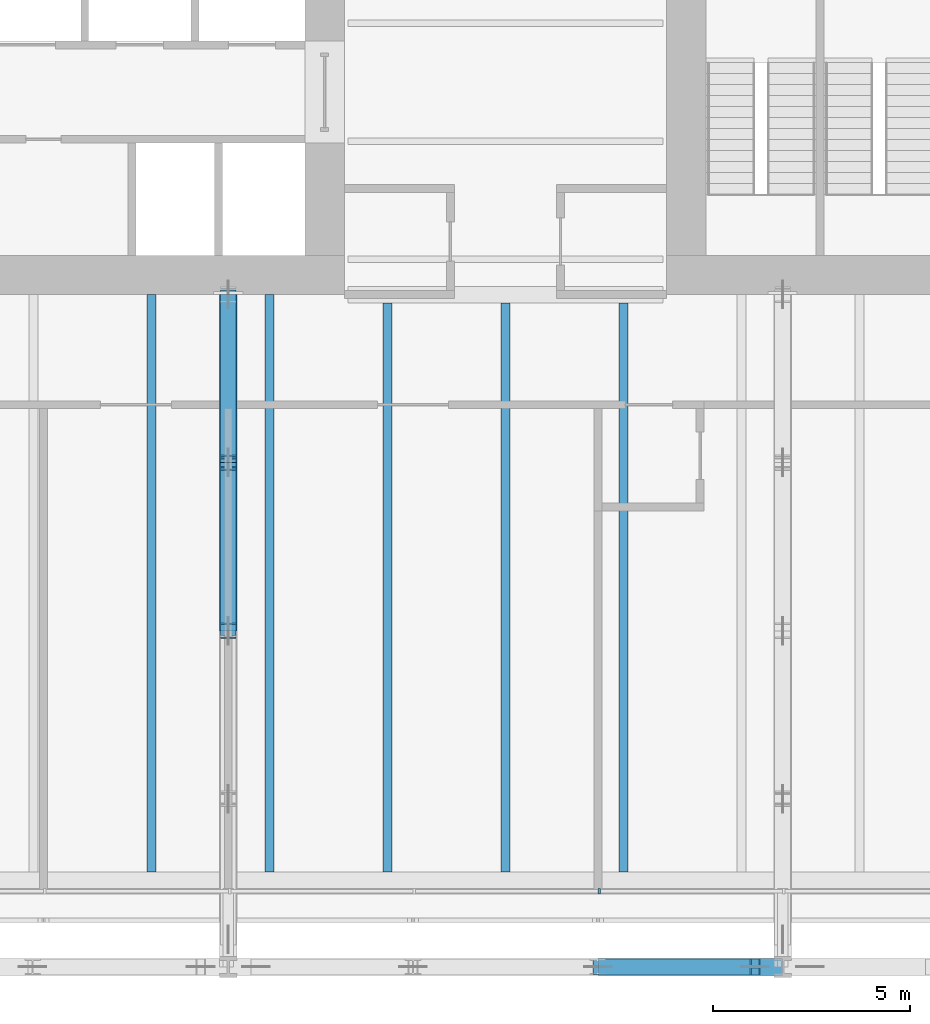
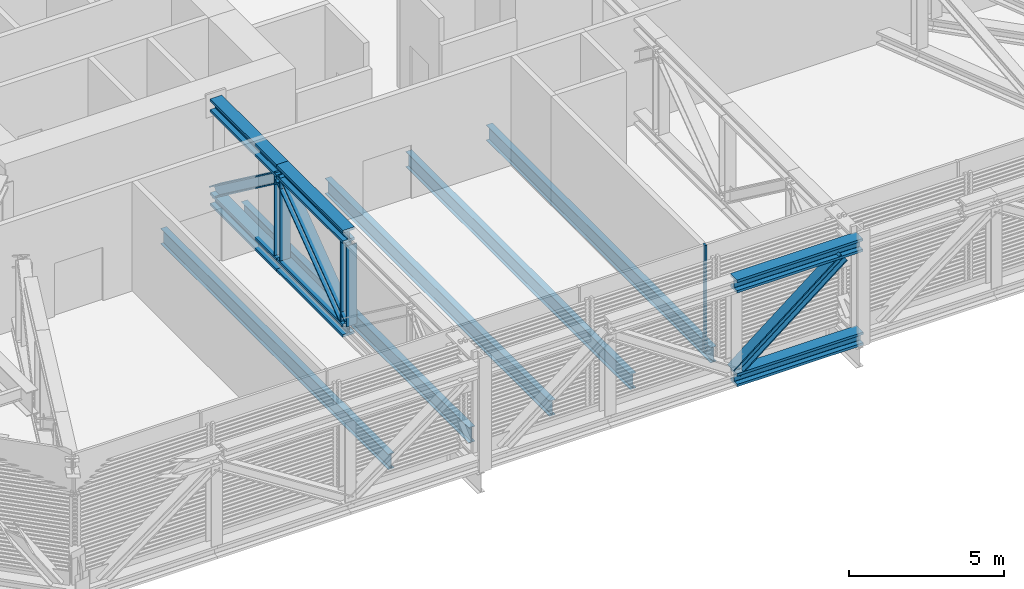
# One storey, part 5 of 33: 11 beams, 6 members, 1 element without a shape of its own.
"""IFC4 building model written with IfcOpenShell, lengths in metres."""

from ifc_helpers import new_model, si_unit, direction, frame, origin, origin_2d, place, context, subcontext, project, spatial, rectangle, i_section, extrude, material, layer, layer_set, material_profile, profile_set, type_object, element, aggregate, save


model = new_model("IFC4")

# Units and contexts
model_context = context("Model", 3, precision=1e-05, world=origin(), true_north=direction((0.0, 1.0)))
body_context = subcontext(model_context, "Body", "Model", "MODEL_VIEW")
ifc_project = project(units=[si_unit("LENGTHUNIT", "METRE"), si_unit("AREAUNIT", "SQUARE_METRE"), si_unit("VOLUMEUNIT", "CUBIC_METRE"), si_unit("PLANEANGLEUNIT", "RADIAN"), si_unit("MASSUNIT", "GRAM", prefix="KILO")], contexts=[model_context])

# Site, building, storey
site_placement = place(None, origin())
site = spatial("IfcSite", under=ifc_project, at=site_placement, CompositionType="ELEMENT")
building_placement = place(site_placement, origin())
building = spatial("IfcBuilding", under=site, at=building_placement, Name="Millrace Tower", CompositionType="ELEMENT")
storey_placement = place(building_placement, frame((0.0, 0.0, 64.10009765625)))
storey = spatial("IfcBuildingStorey", under=building, at=storey_placement, Name="L14", CompositionType="ELEMENT", Elevation=64.10009765625)

# Beams
ifc_material_1 = material(Name="Steel ASTM A992 Grade 50", Category="steel")
ifc_material_profile_1 = material_profile(ifc_material_1, i_section(OverallWidth=0.436767578125, OverallDepth=0.51318359375, WebThickness=0.060546875, FlangeThickness=0.096923828125, FilletRadius=0.01513671875, at=origin_2d()))
ifc_profile_set_1 = profile_set([ifc_material_profile_1], Name="Steel ASTM A992 Grade 50")
beam_type_1 = type_object("IfcBeamType", Name="Belt truss chord W14x550", PredefinedType="BEAM", material=ifc_profile_set_1)
beam_1_placement = place(storey_placement, frame((2.35009765625, -27.0, 0.25634765625), z_axis=(1.0, 0.0, 0.0), x_axis=(0.0, 1.0, 0.0)))
element("IfcBeam", 1, at=beam_1_placement, inside=storey, type_object=beam_type_1, Name="BLT-L14-R03-B03", PredefinedType="BEAM", context=body_context, shape_type="SweptSolid", body=[
    extrude(i_section(OverallWidth=0.436767578125, OverallDepth=0.51318359375, WebThickness=0.060546875, FlangeThickness=0.096923828125, FilletRadius=0.01513671875, at=origin_2d()), origin(), (0.0, 0.0, 1.0), 4.699951171875),
])
beam_2_placement = place(storey_placement, frame((2.35009765625, -27.0, 3.943359375), z_axis=(1.0, 0.0, 0.0), x_axis=(0.0, 1.0, 0.0)))
element("IfcBeam", 2, at=beam_2_placement, inside=storey, type_object=beam_type_1, Name="BLT-L14-R03-T03", PredefinedType="BEAM", context=body_context, shape_type="SweptSolid", body=[
    extrude(i_section(OverallWidth=0.436767578125, OverallDepth=0.51318359375, WebThickness=0.060546875, FlangeThickness=0.096923828125, FilletRadius=0.01513671875, at=origin_2d()), origin(), (0.0, 0.0, 1.0), 4.6826171875),
])

# Member
ifc_material_2 = material(Name="Steel ASTM A992 Grade 50", Category="steel")
ifc_material_profile_2 = material_profile(ifc_material_2, i_section(OverallWidth=0.40380859375, OverallDepth=0.406494140625, WebThickness=0.027099609375, FlangeThickness=0.043701171875, FilletRadius=0.01513671875, at=origin_2d()))
ifc_profile_set_2 = profile_set([ifc_material_profile_2], Name="Steel ASTM A992 Grade 50")
member_type_1 = type_object("IfcMemberType", Name="Belt truss diagonal W14x233", PredefinedType="BRACE", material=ifc_profile_set_2)
member_1_placement = place(storey_placement, frame((2.35009765625, -27.0, 0.512939453125), z_axis=(0.783362807967, 0.0, 0.621564728001), x_axis=(0.0, 1.0, 0.0)))
element("IfcMember", 3, at=member_1_placement, inside=storey, type_object=member_type_1, Name="BLT-L14-R03-D03", PredefinedType="BRACE", context=body_context, shape_type="SweptSolid", body=[
    extrude(i_section(OverallWidth=0.40380859375, OverallDepth=0.406494140625, WebThickness=0.027099609375, FlangeThickness=0.043701171875, FilletRadius=0.01513671875, at=origin_2d()), origin(), (0.0, 0.0, 1.0), 5.106201171875),
])

# Curtain wall, member
ifc_material_3 = material(Name="Aluminium and glass", Category="aluminium")
ifc_layer = layer(ifc_material_3, 0.14990234375)
ifc_layer_set = layer_set([ifc_layer], Name="Aluminium and glass")
curtain_wall_type = type_object("IfcCurtainWallType", Name="CW-5 truss and plant storey louvred infill", PredefinedType="NOTDEFINED", material=ifc_layer_set)
curtain_wall_placement = place(storey_placement, origin())
curtain_wall = element("IfcCurtainWall", 4, at=curtain_wall_placement, inside=storey, type_object=curtain_wall_type, Name="Curtain wall A-F02 L14", PredefinedType="NOTDEFINED")
ifc_material_4 = material(Name="Aluminium", Category="aluminium")
ifc_material_profile_3 = material_profile(ifc_material_4, rectangle(XDim=0.06494140625, YDim=0.14990234375, at=origin_2d()))
ifc_profile_set_3 = profile_set([ifc_material_profile_3], Name="Aluminium")
member_type_2 = type_object("IfcMemberType", Name="CW-5 truss and plant storey louvred infill mullion", PredefinedType="MULLION", material=ifc_profile_set_3)
member_2_placement = place(storey_placement, frame((2.382568359375, -25.074951171875, 0.139892578125), z_axis=(0.0, 0.0, 1.0), x_axis=(1.0, 0.0, 0.0)))
member_2 = element("IfcMember", 5, at=member_2_placement, type_object=member_type_2, Name="CW5 mullion A-F02.6", PredefinedType="MULLION", context=body_context, shape_type="SweptSolid", body=[
    extrude(rectangle(XDim=0.06494140625, YDim=0.14990234375, at=origin_2d()), origin(), (0.0, 0.0, 1.0), 4.159912109375),
])
aggregate(curtain_wall, [member_2])

# Beams
ifc_material_5 = material(Name="Steel ASTM A992 Grade 50", Category="steel")
ifc_material_profile_4 = material_profile(ifc_material_5, i_section(OverallWidth=0.228271484375, OverallDepth=0.607177734375, WebThickness=0.01123046875, FlangeThickness=0.017333984375, FilletRadius=0.0126953125, at=origin_2d()))
ifc_profile_set_4 = profile_set([ifc_material_profile_4], Name="Steel ASTM A992 Grade 50")
beam_type_2 = type_object("IfcBeamType", Name="Floor beam W24x76", PredefinedType="JOIST", material=ifc_profile_set_4)
for number, where, z_axis, x_axis, name in (
    (6, (-9.0, -24.578369140625, -0.5537109375), (0.0, 1.0, 0.0), (-1.0, 0.0, 0.0), "BM-A-L14-S1-S045"),
    (7, (-6.0, -24.578369140625, -0.5537109375), (0.0, 1.0, 0.0), (-1.0, 0.0, 0.0), "BM-A-L14-S1-S047"),
):
    element("IfcBeam", number, at=place(storey_placement, frame(where, z_axis=z_axis, x_axis=x_axis)), inside=storey, type_object=beam_type_2, Name=name, PredefinedType="JOIST", context=body_context, shape_type="SweptSolid", body=[
        extrude(i_section(OverallWidth=0.228271484375, OverallDepth=0.607177734375, WebThickness=0.01123046875, FlangeThickness=0.017333984375, FilletRadius=0.0126953125, at=origin_2d()), origin(), (0.0, 0.0, 1.0), 14.678466796875),
    ])
for number, where, z_axis, x_axis, name in (
    (8, (-3.0, -24.578369140625, -0.5537109375), (0.0, 1.0, 0.0), (-1.0, 0.0, 0.0), "BM-A-L14-S1-S049"),
    (9, (0.0, -24.578369140625, -0.5537109375), (0.0, 1.0, 0.0), (-1.0, 0.0, 0.0), "BM-A-L14-S1-S051"),
    (10, (3.0, -24.578369140625, -0.5537109375), (0.0, 1.0, 0.0), (-1.0, 0.0, 0.0), "BM-A-L14-S1-S053"),
):
    element("IfcBeam", number, at=place(storey_placement, frame(where, z_axis=z_axis, x_axis=x_axis)), inside=storey, type_object=beam_type_2, Name=name, PredefinedType="JOIST", context=body_context, shape_type="SweptSolid", body=[
        extrude(i_section(OverallWidth=0.228271484375, OverallDepth=0.607177734375, WebThickness=0.01123046875, FlangeThickness=0.017333984375, FilletRadius=0.0126953125, at=origin_2d()), origin(), (0.0, 0.0, 1.0), 14.46630859375),
    ])
ifc_material_6 = material(Name="Steel ASTM A992 Grade 50", Category="steel")
ifc_material_profile_5 = material_profile(ifc_material_6, i_section(OverallWidth=0.436767578125, OverallDepth=0.51318359375, WebThickness=0.060546875, FlangeThickness=0.096923828125, FilletRadius=0.01513671875, at=origin_2d()))
ifc_profile_set_5 = profile_set([ifc_material_profile_5], Name="Steel ASTM A992 Grade 50")
beam_type_3 = type_object("IfcBeamType", Name="Outrigger truss chord W14x550", PredefinedType="BEAM", material=ifc_profile_set_5)
for number, where, z_axis, x_axis, name in (
    (11, (-7.050048828125, -9.89990234375, 0.25634765625), (0.0, -1.0, 0.0), (1.0, 0.0, 0.0), "BLT-L14-O03-B01"),
    (12, (-7.050048828125, -9.89990234375, 3.943359375), (0.0, -1.0, 0.0), (1.0, 0.0, 0.0), "BLT-L14-O03-T01"),
):
    element("IfcBeam", number, at=place(storey_placement, frame(where, z_axis=z_axis, x_axis=x_axis)), inside=storey, type_object=beam_type_3, Name=name, PredefinedType="BEAM", context=body_context, shape_type="SweptSolid", body=[
        extrude(i_section(OverallWidth=0.436767578125, OverallDepth=0.51318359375, WebThickness=0.060546875, FlangeThickness=0.096923828125, FilletRadius=0.01513671875, at=origin_2d()), origin(), (0.0, 0.0, 1.0), 4.275146484375),
    ])
for number, where, z_axis, x_axis, name in (
    (13, (-7.050048828125, -14.175048828125, 0.25634765625), (0.0, -1.0, 0.0), (1.0, 0.0, 0.0), "BLT-L14-O03-B02"),
    (14, (-7.050048828125, -14.175048828125, 3.943359375), (0.0, -1.0, 0.0), (1.0, 0.0, 0.0), "BLT-L14-O03-T02"),
):
    element("IfcBeam", number, at=place(storey_placement, frame(where, z_axis=z_axis, x_axis=x_axis)), inside=storey, type_object=beam_type_3, Name=name, PredefinedType="BEAM", context=body_context, shape_type="SweptSolid", body=[
        extrude(i_section(OverallWidth=0.436767578125, OverallDepth=0.51318359375, WebThickness=0.060546875, FlangeThickness=0.096923828125, FilletRadius=0.01513671875, at=origin_2d()), origin(), (0.0, 0.0, 1.0), 4.27490234375),
    ])

# Members
ifc_material_7 = material(Name="Steel ASTM A992 Grade 50", Category="steel")
ifc_material_profile_6 = material_profile(ifc_material_7, i_section(OverallWidth=0.40380859375, OverallDepth=0.406494140625, WebThickness=0.027099609375, FlangeThickness=0.043701171875, FilletRadius=0.01513671875, at=origin_2d()))
ifc_profile_set_6 = profile_set([ifc_material_profile_6], Name="Steel ASTM A992 Grade 50")
member_type_3 = type_object("IfcMemberType", Name="Outrigger truss diagonal W14x233", PredefinedType="BRACE", material=ifc_profile_set_6)
member_3_placement = place(storey_placement, frame((-7.050048828125, -9.89990234375, 0.512939453125), z_axis=(0.0, -0.802923169461, 0.596082531151), x_axis=(1.0, 0.0, 0.0)))
element("IfcMember", 15, at=member_3_placement, inside=storey, type_object=member_type_3, Name="BLT-L14-O03-D01", PredefinedType="BRACE", context=body_context, shape_type="SweptSolid", body=[
    extrude(i_section(OverallWidth=0.40380859375, OverallDepth=0.406494140625, WebThickness=0.027099609375, FlangeThickness=0.043701171875, FilletRadius=0.01513671875, at=origin_2d()), origin(), (0.0, 0.0, 1.0), 5.324462890625),
])
member_4_placement = place(storey_placement, frame((-7.050048828125, -18.449951171875, 0.512939453125), z_axis=(0.0, 0.802906876507, 0.596104477133), x_axis=(-1.0, 0.0, 0.0)))
element("IfcMember", 16, at=member_4_placement, inside=storey, type_object=member_type_3, Name="BLT-L14-O03-D02", PredefinedType="BRACE", context=body_context, shape_type="SweptSolid", body=[
    extrude(i_section(OverallWidth=0.40380859375, OverallDepth=0.406494140625, WebThickness=0.027099609375, FlangeThickness=0.043701171875, FilletRadius=0.01513671875, at=origin_2d()), origin(), (0.0, 0.0, 1.0), 5.32421875),
])
ifc_material_8 = material(Name="Steel ASTM A992 Grade 50", Category="steel")
ifc_material_profile_7 = material_profile(ifc_material_8, i_section(OverallWidth=0.398681640625, OverallDepth=0.393798828125, WebThickness=0.022705078125, FlangeThickness=0.03662109375, FilletRadius=0.01513671875, at=origin_2d()))
ifc_profile_set_7 = profile_set([ifc_material_profile_7], Name="Steel ASTM A992 Grade 50")
member_type_4 = type_object("IfcMemberType", Name="Outrigger truss post W14x193", PredefinedType="POST", material=ifc_profile_set_7)
for number, where, z_axis, x_axis, name in (
    (17, (-7.050048828125, -14.175048828125, 0.512939453125), (0.0, 0.0, 1.0), (1.0, 0.0, 0.0), "BLT-L14-O03-V01"),
    (18, (-7.050048828125, -18.449951171875, 0.512939453125), (0.0, 0.0, 1.0), (1.0, 0.0, 0.0), "BLT-L14-O03-V02"),
):
    element("IfcMember", number, at=place(storey_placement, frame(where, z_axis=z_axis, x_axis=x_axis)), inside=storey, type_object=member_type_4, Name=name, PredefinedType="POST", context=body_context, shape_type="SweptSolid", body=[
        extrude(i_section(OverallWidth=0.398681640625, OverallDepth=0.393798828125, WebThickness=0.022705078125, FlangeThickness=0.03662109375, FilletRadius=0.01513671875, at=origin_2d()), origin(), (0.0, 0.0, 1.0), 3.173828125),
    ])

save(model, "model.ifc")
